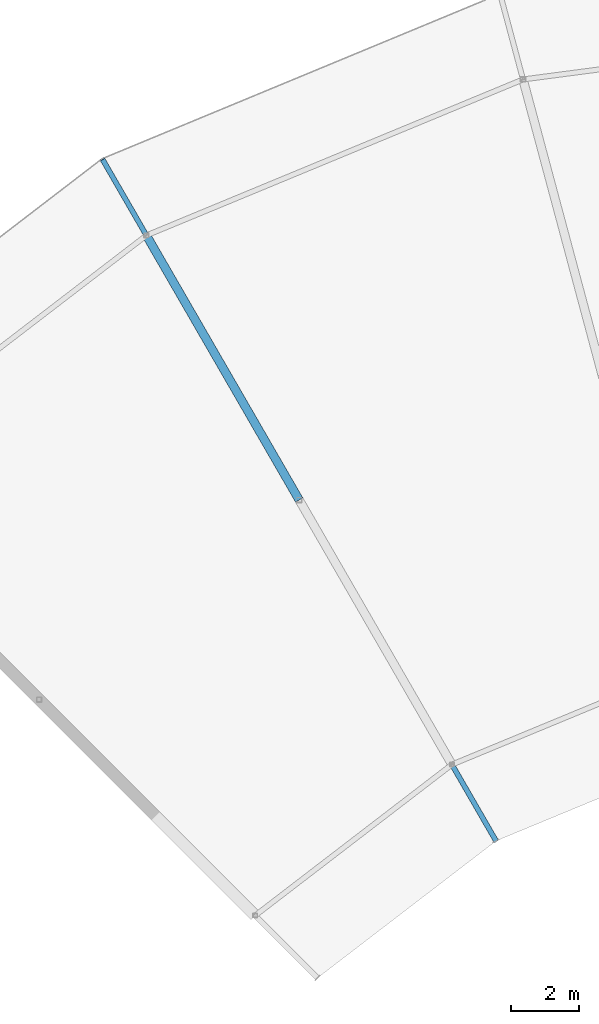
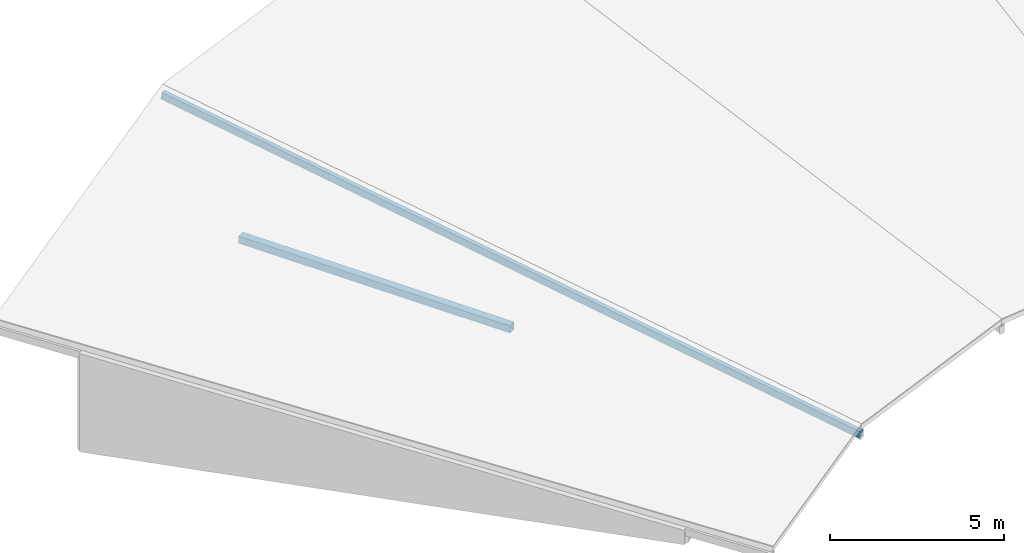
# One storey, part 16 of 70: 2 members.
"""IFC4 building model written with IfcOpenShell, lengths in metres."""

from ifc_helpers import new_model, si_unit, direction, frame, origin, origin_2d, place, context, subcontext, project, spatial, hollow_rectangle, extrude, material, material_profile, profile_set, type_object, element, save


model = new_model("IFC4")

# Units and contexts
model_context = context("Model", 3, precision=1e-05, world=origin(), true_north=direction((0.0, 1.0)))
body_context = subcontext(model_context, "Body", "Model", "MODEL_VIEW")
ifc_project = project(units=[si_unit("LENGTHUNIT", "METRE"), si_unit("AREAUNIT", "SQUARE_METRE"), si_unit("VOLUMEUNIT", "CUBIC_METRE"), si_unit("PLANEANGLEUNIT", "RADIAN"), si_unit("MASSUNIT", "GRAM", prefix="KILO")], contexts=[model_context])

# Site, building, storey
site_placement = place(None, origin())
site = spatial("IfcSite", under=ifc_project, at=site_placement, CompositionType="ELEMENT")
building_placement = place(site_placement, origin())
building = spatial("IfcBuilding", under=site, at=building_placement, Name="Vondelvale Polytechnic", CompositionType="ELEMENT")
storey_placement = place(building_placement, frame((0.0, 0.0, 22.199951171875)))
storey = spatial("IfcBuildingStorey", under=building, at=storey_placement, Name="L05", CompositionType="ELEMENT", Elevation=22.199951171875)

# Members
ifc_material = material(Name="Steel C350L0 (fy = 350 MPa)", Category="steel")
ifc_material_profile_1 = material_profile(ifc_material, hollow_rectangle(XDim=0.14990234375, YDim=0.25, WallThickness=0.006103515625, at=origin_2d()), Name="250x150x6.0RHS")
ifc_profile_set_1 = profile_set([ifc_material_profile_1], Name="Steel C350L0 (fy = 350 MPa)")
member_type_1 = type_object("IfcMemberType", Name="RAFTER RHS250", PredefinedType="RAFTER", material=ifc_profile_set_1)
member_1_placement = place(storey_placement, frame((77.699951171875, 114.0888671875, 3.765869140625), z_axis=(0.493427802493, -0.85463514825, -0.161640858395), x_axis=(0.86602366199, 0.500003016864, 0.0)))
element("IfcMember", 1, at=member_1_placement, inside=storey, type_object=member_type_1, Name="Ring inward-sloping rafter 08", PredefinedType="RAFTER", context=body_context, shape_type="SweptSolid", body=[
    extrude(hollow_rectangle(XDim=0.14990234375, YDim=0.25, WallThickness=0.006103515625, at=origin_2d()), origin(), (0.0, 0.0, 1.0), 23.50927734375),
])
ifc_material_profile_2 = material_profile(ifc_material, hollow_rectangle(XDim=0.25, YDim=0.25, WallThickness=0.009033203125, at=origin_2d()), Name="250x250x9.0SHS")
ifc_profile_set_2 = profile_set([ifc_material_profile_2], Name="Steel C350L0 (fy = 350 MPa)")
member_type_2 = type_object("IfcMemberType", Name="ROOF TRUSS CHORD 250SHS", PredefinedType="CHORD", material=ifc_profile_set_2)
member_2_placement = place(storey_placement, frame((83.5, 104.04296875, -0.349853515625), z_axis=(-0.5000018851, 0.866024315419, 0.0), x_axis=(-0.866024315419, -0.5000018851, 0.0)))
element("IfcMember", 2, at=member_2_placement, inside=storey, type_object=member_type_2, Name="Ring workshop truss chord 08B", PredefinedType="CHORD", context=body_context, shape_type="SweptSolid", body=[
    extrude(hollow_rectangle(XDim=0.25, YDim=0.25, WallThickness=0.009033203125, at=origin_2d()), origin(), (0.0, 0.0, 1.0), 9.0),
])

save(model, "model.ifc")
